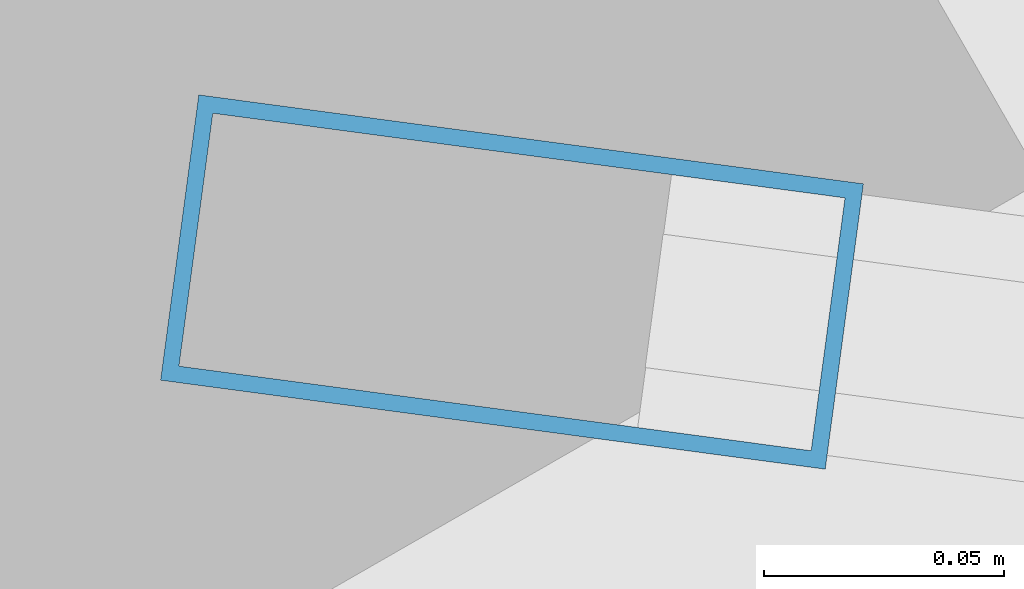
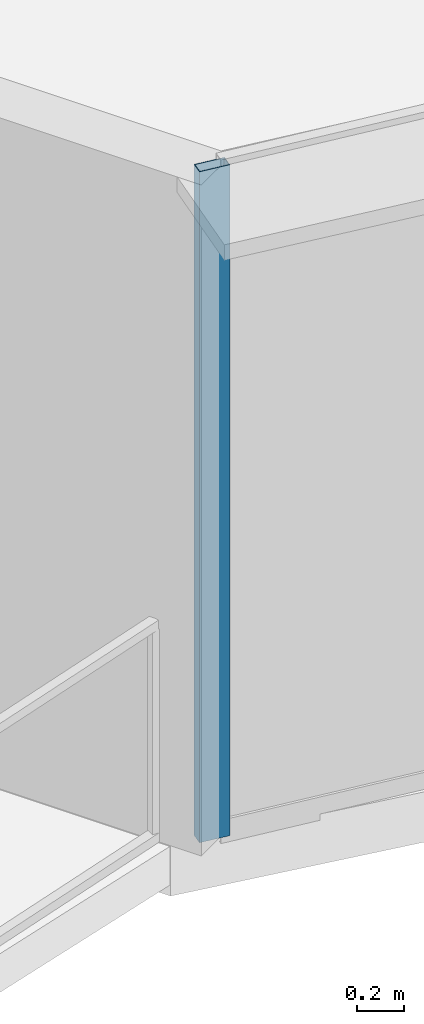
# One storey, part 2 of 37: 1 member, 1 element without a shape of its own.
"""IFC4 building model written with IfcOpenShell, lengths in metres."""

from ifc_helpers import new_model, si_unit, direction, frame, origin, origin_2d, place, context, subcontext, project, spatial, hollow_rectangle, extrude, source, transform, mapped, material, layer, layer_set, material_profile, profile_set, type_object, element, aggregate, save


model = new_model("IFC4")

# Units and contexts
model_context = context("Model", 3, precision=1e-05, world=origin(), true_north=direction((0.0, 1.0)))
body_context = subcontext(model_context, "Body", "Model", "MODEL_VIEW")
ifc_project = project(units=[si_unit("LENGTHUNIT", "METRE"), si_unit("AREAUNIT", "SQUARE_METRE"), si_unit("VOLUMEUNIT", "CUBIC_METRE"), si_unit("PLANEANGLEUNIT", "RADIAN"), si_unit("MASSUNIT", "GRAM", prefix="KILO"), si_unit("THERMODYNAMICTEMPERATUREUNIT", "KELVIN"), si_unit("POWERUNIT", "WATT")], contexts=[model_context])

# Site, building, storey
site_placement = place(None, origin())
site = spatial("IfcSite", under=ifc_project, at=site_placement, CompositionType="ELEMENT")
building_placement = place(site_placement, origin())
building = spatial("IfcBuilding", under=site, at=building_placement, Name="Yunzhuo Pagoda Commons", CompositionType="ELEMENT")
storey_placement = place(building_placement, frame((0.0, 0.0, 255.719970703125)))
storey = spatial("IfcBuildingStorey", under=building, at=storey_placement, Name="L64", CompositionType="ELEMENT", Elevation=255.719970703125)

# Curtain wall, member
ifc_material = material(Name="Anodized aluminium 6063-T6", Category="aluminium")
ifc_layer = layer(ifc_material, 0.139892578125)
ifc_layer_set = layer_set([ifc_layer], Name="Anodized aluminium 6063-T6")
curtain_wall_type = type_object("IfcCurtainWallType", Name="CW-HI High-Zone Ribbon Curtain Wall", PredefinedType="NOTDEFINED", material=ifc_layer_set)
curtain_wall_placement = place(storey_placement, origin())
curtain_wall = element("IfcCurtainWall", 1, at=curtain_wall_placement, inside=storey, type_object=curtain_wall_type, Name="L64 curtain wall CW-L64-F1B1", PredefinedType="NOTDEFINED")
ifc_material_profile = material_profile(ifc_material, hollow_rectangle(XDim=0.06005859375, YDim=0.139892578125, WallThickness=0.00341796875, at=origin_2d()), Name="Anodized aluminium 6063-T6")
ifc_profile_set = profile_set([ifc_material_profile], Name="Anodized aluminium 6063-T6")
member_type = type_object("IfcMemberType", Name="CW-HI-M Mullion RHS 140x60x3.5", PredefinedType="MULLION", material=ifc_profile_set)
shared_shape = source(origin(), body_context, "Body", "SweptSolid", [
    extrude(hollow_rectangle(XDim=0.06005859375, YDim=0.139892578125, WallThickness=0.00341796875, at=origin_2d()), origin(), (0.0, 0.0, 1.0), 3.469970703125),
])
member_placement = place(storey_placement, frame((17.4091796875, 19.772216796875, 0.0), z_axis=(0.0, 0.0, 1.0), x_axis=(0.132663916926, 0.991161079314, 0.0)))
member = element("IfcMember", 2, at=member_placement, type_object=member_type, Name="CW mullion 1", PredefinedType="MULLION", context=body_context, shape_type="MappedRepresentation", body=[
    mapped(shared_shape, transform((0.0, 0.0, 0.0), scale=1.0)),
])
aggregate(curtain_wall, [member])

save(model, "model.ifc")
